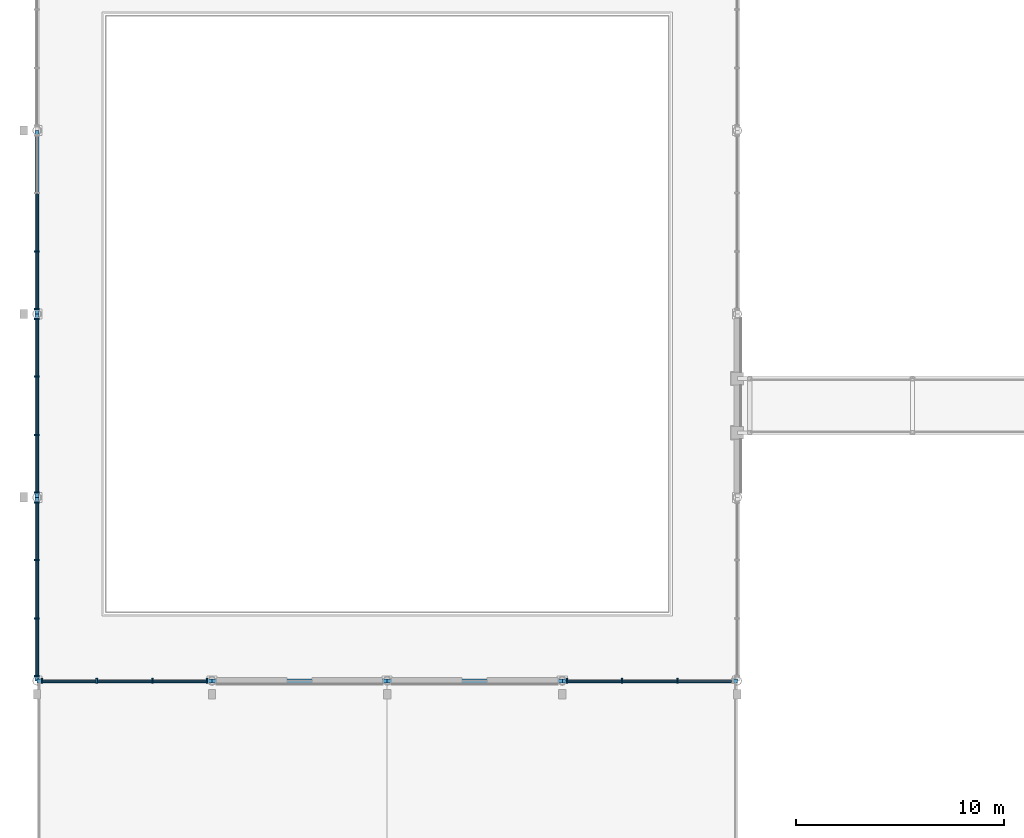
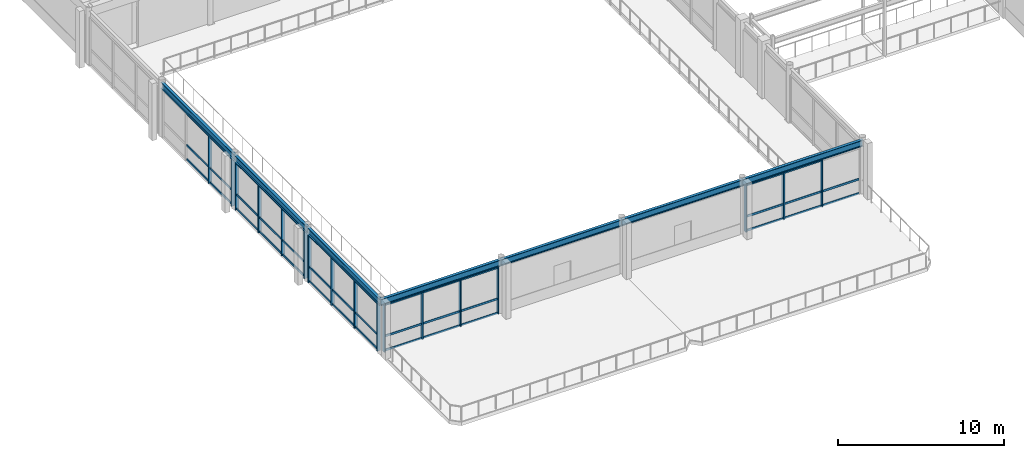
# One storey, part 12 of 57: 58 members, 7 beams, 5 elements without a shape of their own.
"""IFC4 building model written with IfcOpenShell, lengths in metres."""

from ifc_helpers import new_model, si_unit, direction, frame, origin, origin_2d, place, context, subcontext, project, spatial, rectangle, i_section, extrude, material, material_profile, profile_set, type_object, element, aggregate, save


model = new_model("IFC4")

# Units and contexts
model_context = context("Model", 3, precision=1e-05, world=origin(), true_north=direction((0.0, 1.0)))
body_context = subcontext(model_context, "Body", "Model", "MODEL_VIEW")
ifc_project = project(units=[si_unit("LENGTHUNIT", "METRE"), si_unit("AREAUNIT", "SQUARE_METRE"), si_unit("VOLUMEUNIT", "CUBIC_METRE"), si_unit("PLANEANGLEUNIT", "RADIAN"), si_unit("MASSUNIT", "GRAM", prefix="KILO")], contexts=[model_context])

# Site, building, storey
site_placement = place(None, origin())
site = spatial("IfcSite", under=ifc_project, at=site_placement, CompositionType="ELEMENT")
building_placement = place(site_placement, origin())
building = spatial("IfcBuilding", under=site, at=building_placement, Name="Kemercrest Conservatory and Botanical Centre", CompositionType="ELEMENT")
storey_placement = place(building_placement, frame((0.0, 0.0, 4.800048828125)))
storey = spatial("IfcBuildingStorey", under=building, at=storey_placement, Name="L01", CompositionType="ELEMENT", Elevation=4.800048828125)

# Beams
ifc_material_1 = material(Name="Steel CSA G40.21 350W", Category="steel")
ifc_material_profile_1 = material_profile(ifc_material_1, i_section(OverallWidth=0.194091796875, OverallDepth=0.468994140625, WebThickness=0.0126953125, FlangeThickness=0.0205078125, FilletRadius=0.01806640625, at=origin_2d()), Name="W460X106")
ifc_profile_set_1 = profile_set([ifc_material_profile_1], Name="Steel CSA G40.21 350W")
beam_type = type_object("IfcBeamType", Name="BM-W460E", PredefinedType="BEAM", material=ifc_profile_set_1)
beam_1_placement = place(storey_placement, frame((8.0, 16.800048828125, 3.725341796875), z_axis=(1.0, 0.0, 0.0), x_axis=(0.0, 1.0, 0.0)))
element("IfcBeam", 1, at=beam_1_placement, inside=storey, type_object=beam_type, Name="Conservatory glasshouse perimeter wind girt", PredefinedType="BEAM", context=body_context, shape_type="SweptSolid", body=[
    extrude(i_section(OverallWidth=0.194091796875, OverallDepth=0.468994140625, WebThickness=0.0126953125, FlangeThickness=0.0205078125, FilletRadius=0.01806640625, at=origin_2d()), origin(), (0.0, 0.0, 1.0), 8.39990234375),
])
beam_2_placement = place(storey_placement, frame((16.39990234375, 16.800048828125, 3.725341796875), z_axis=(1.0, 0.0, 0.0), x_axis=(0.0, 1.0, 0.0)))
element("IfcBeam", 2, at=beam_2_placement, inside=storey, type_object=beam_type, Name="Conservatory glasshouse perimeter wind girt", PredefinedType="BEAM", context=body_context, shape_type="SweptSolid", body=[
    extrude(i_section(OverallWidth=0.194091796875, OverallDepth=0.468994140625, WebThickness=0.0126953125, FlangeThickness=0.0205078125, FilletRadius=0.01806640625, at=origin_2d()), origin(), (0.0, 0.0, 1.0), 8.400146484375),
])
beam_3_placement = place(storey_placement, frame((24.800048828125, 16.800048828125, 3.725341796875), z_axis=(1.0, 0.0, 0.0), x_axis=(0.0, 1.0, 0.0)))
element("IfcBeam", 3, at=beam_3_placement, inside=storey, type_object=beam_type, Name="Conservatory glasshouse perimeter wind girt", PredefinedType="BEAM", context=body_context, shape_type="SweptSolid", body=[
    extrude(i_section(OverallWidth=0.194091796875, OverallDepth=0.468994140625, WebThickness=0.0126953125, FlangeThickness=0.0205078125, FilletRadius=0.01806640625, at=origin_2d()), origin(), (0.0, 0.0, 1.0), 8.39990234375),
])
beam_4_placement = place(storey_placement, frame((33.199951171875, 16.800048828125, 3.725341796875), z_axis=(1.0, 0.0, 0.0), x_axis=(0.0, 1.0, 0.0)))
element("IfcBeam", 4, at=beam_4_placement, inside=storey, type_object=beam_type, Name="Conservatory glasshouse perimeter wind girt", PredefinedType="BEAM", context=body_context, shape_type="SweptSolid", body=[
    extrude(i_section(OverallWidth=0.194091796875, OverallDepth=0.468994140625, WebThickness=0.0126953125, FlangeThickness=0.0205078125, FilletRadius=0.01806640625, at=origin_2d()), origin(), (0.0, 0.0, 1.0), 8.400146484375),
])
beam_5_placement = place(storey_placement, frame((8.0, 16.800048828125, 3.725341796875), z_axis=(0.0, 1.0, 0.0), x_axis=(-1.0, 0.0, 0.0)))
element("IfcBeam", 5, at=beam_5_placement, inside=storey, type_object=beam_type, Name="Conservatory glasshouse perimeter wind girt", PredefinedType="BEAM", context=body_context, shape_type="SweptSolid", body=[
    extrude(i_section(OverallWidth=0.194091796875, OverallDepth=0.468994140625, WebThickness=0.0126953125, FlangeThickness=0.0205078125, FilletRadius=0.01806640625, at=origin_2d()), origin(), (0.0, 0.0, 1.0), 8.800048828125),
])
beam_6_placement = place(storey_placement, frame((8.0, 25.60009765625, 3.725341796875), z_axis=(0.0, 1.0, 0.0), x_axis=(-1.0, 0.0, 0.0)))
element("IfcBeam", 6, at=beam_6_placement, inside=storey, type_object=beam_type, Name="Conservatory glasshouse perimeter wind girt", PredefinedType="BEAM", context=body_context, shape_type="SweptSolid", body=[
    extrude(i_section(OverallWidth=0.194091796875, OverallDepth=0.468994140625, WebThickness=0.0126953125, FlangeThickness=0.0205078125, FilletRadius=0.01806640625, at=origin_2d()), origin(), (0.0, 0.0, 1.0), 8.7998046875),
])
beam_7_placement = place(storey_placement, frame((8.0, 34.39990234375, 3.725341796875), z_axis=(0.0, 1.0, 0.0), x_axis=(-1.0, 0.0, 0.0)))
element("IfcBeam", 7, at=beam_7_placement, inside=storey, type_object=beam_type, Name="Conservatory glasshouse perimeter wind girt", PredefinedType="BEAM", context=body_context, shape_type="SweptSolid", body=[
    extrude(i_section(OverallWidth=0.194091796875, OverallDepth=0.468994140625, WebThickness=0.0126953125, FlangeThickness=0.0205078125, FilletRadius=0.01806640625, at=origin_2d()), origin(), (0.0, 0.0, 1.0), 8.800048828125),
])

# Curtain wall, members
ifc_material_2 = material(Name="Thermally broken aluminium and triple low-e glazing", Category="aluminium")
curtain_wall_type_1 = type_object("IfcCurtainWallType", Name="CW-09", PredefinedType="USERDEFINED", material=ifc_material_2)
curtain_wall_1_placement = place(storey_placement, origin())
curtain_wall_1 = element("IfcCurtainWall", 8, at=curtain_wall_1_placement, inside=storey, type_object=curtain_wall_type_1, Name="Unitised curtain wall CW-09 (CW:L01:V1-008)", ObjectType="UNITISED CURTAIN WALL", PredefinedType="USERDEFINED")
ifc_material_3 = material(Name="Thermally broken anodized aluminium 6063-T6", Category="aluminium")
ifc_material_profile_2 = material_profile(ifc_material_3, rectangle(XDim=0.239990234375, YDim=0.074951171875, at=origin_2d()), Name="AL MULLION 75x240")
ifc_profile_set_2 = profile_set([ifc_material_profile_2], Name="Thermally broken anodized aluminium 6063-T6")
member_type_1 = type_object("IfcMemberType", Name="CW-M225", PredefinedType="MULLION", material=ifc_profile_set_2)
member_1_placement = place(storey_placement, frame((8.237548828125, 16.800048828125, 0.0), z_axis=(0.0, 0.0, 1.0), x_axis=(0.0, 1.0, 0.0)))
member_1 = element("IfcMember", 9, at=member_1_placement, type_object=member_type_1, Name="CW-09 mullion 1", PredefinedType="MULLION", context=body_context, shape_type="SweptSolid", body=[
    extrude(rectangle(XDim=0.239990234375, YDim=0.074951171875, at=origin_2d()), origin(), (0.0, 0.0, 1.0), 3.495849609375),
])
member_2_placement = place(storey_placement, frame((10.86669921875, 16.800048828125, 0.0), z_axis=(0.0, 0.0, 1.0), x_axis=(0.0, 1.0, 0.0)))
member_2 = element("IfcMember", 10, at=member_2_placement, type_object=member_type_1, Name="CW-09 mullion 2", PredefinedType="MULLION", context=body_context, shape_type="SweptSolid", body=[
    extrude(rectangle(XDim=0.239990234375, YDim=0.074951171875, at=origin_2d()), origin(), (0.0, 0.0, 1.0), 3.495849609375),
])
member_3_placement = place(storey_placement, frame((13.533447265625, 16.800048828125, 0.0), z_axis=(0.0, 0.0, 1.0), x_axis=(0.0, 1.0, 0.0)))
member_3 = element("IfcMember", 11, at=member_3_placement, type_object=member_type_1, Name="CW-09 mullion 3", PredefinedType="MULLION", context=body_context, shape_type="SweptSolid", body=[
    extrude(rectangle(XDim=0.239990234375, YDim=0.074951171875, at=origin_2d()), origin(), (0.0, 0.0, 1.0), 3.495849609375),
])
member_4_placement = place(storey_placement, frame((16.16259765625, 16.800048828125, 0.0), z_axis=(0.0, 0.0, 1.0), x_axis=(0.0, 1.0, 0.0)))
member_4 = element("IfcMember", 12, at=member_4_placement, type_object=member_type_1, Name="CW-09 mullion 4", PredefinedType="MULLION", context=body_context, shape_type="SweptSolid", body=[
    extrude(rectangle(XDim=0.239990234375, YDim=0.074951171875, at=origin_2d()), origin(), (0.0, 0.0, 1.0), 3.495849609375),
])

curtain_wall_type_2 = type_object("IfcCurtainWallType", Name="CW-10", PredefinedType="USERDEFINED", material=ifc_material_2)
curtain_wall_2_placement = place(storey_placement, origin())
curtain_wall_2 = element("IfcCurtainWall", 13, at=curtain_wall_2_placement, inside=storey, type_object=curtain_wall_type_2, Name="Unitised curtain wall CW-10 (CW:L01:V1-009)", ObjectType="UNITISED CURTAIN WALL", PredefinedType="USERDEFINED")
member_5_placement = place(storey_placement, frame((33.4375, 16.800048828125, 0.0), z_axis=(0.0, 0.0, 1.0), x_axis=(0.0, 1.0, 0.0)))
member_5 = element("IfcMember", 14, at=member_5_placement, type_object=member_type_1, Name="CW-10 mullion 1", PredefinedType="MULLION", context=body_context, shape_type="SweptSolid", body=[
    extrude(rectangle(XDim=0.239990234375, YDim=0.074951171875, at=origin_2d()), origin(), (0.0, 0.0, 1.0), 3.495849609375),
])
member_6_placement = place(storey_placement, frame((36.066650390625, 16.800048828125, 0.0), z_axis=(0.0, 0.0, 1.0), x_axis=(0.0, 1.0, 0.0)))
member_6 = element("IfcMember", 15, at=member_6_placement, type_object=member_type_1, Name="CW-10 mullion 2", PredefinedType="MULLION", context=body_context, shape_type="SweptSolid", body=[
    extrude(rectangle(XDim=0.239990234375, YDim=0.074951171875, at=origin_2d()), origin(), (0.0, 0.0, 1.0), 3.495849609375),
])
member_7_placement = place(storey_placement, frame((38.7333984375, 16.800048828125, 0.0), z_axis=(0.0, 0.0, 1.0), x_axis=(0.0, 1.0, 0.0)))
member_7 = element("IfcMember", 16, at=member_7_placement, type_object=member_type_1, Name="CW-10 mullion 3", PredefinedType="MULLION", context=body_context, shape_type="SweptSolid", body=[
    extrude(rectangle(XDim=0.239990234375, YDim=0.074951171875, at=origin_2d()), origin(), (0.0, 0.0, 1.0), 3.495849609375),
])

curtain_wall_type_3 = type_object("IfcCurtainWallType", Name="CW-15", PredefinedType="USERDEFINED", material=ifc_material_2)
curtain_wall_3_placement = place(storey_placement, origin())
curtain_wall_3 = element("IfcCurtainWall", 17, at=curtain_wall_3_placement, inside=storey, type_object=curtain_wall_type_3, Name="Unitised curtain wall CW-15 (CW:L01:V1-014)", ObjectType="UNITISED CURTAIN WALL", PredefinedType="USERDEFINED")
member_8_placement = place(storey_placement, frame((8.0, 37.39990234375, 0.0), z_axis=(0.0, 0.0, 1.0), x_axis=(1.0, 0.0, 0.0)))
member_8 = element("IfcMember", 18, at=member_8_placement, type_object=member_type_1, Name="CW-15 mullion 3", PredefinedType="MULLION", context=body_context, shape_type="SweptSolid", body=[
    extrude(rectangle(XDim=0.239990234375, YDim=0.074951171875, at=origin_2d()), origin(), (0.0, 0.0, 1.0), 3.495849609375),
])
member_9_placement = place(storey_placement, frame((8.0, 34.637451171875, 0.0), z_axis=(0.0, 0.0, 1.0), x_axis=(1.0, 0.0, 0.0)))
member_9 = element("IfcMember", 19, at=member_9_placement, type_object=member_type_1, Name="CW-15 mullion 4", PredefinedType="MULLION", context=body_context, shape_type="SweptSolid", body=[
    extrude(rectangle(XDim=0.239990234375, YDim=0.074951171875, at=origin_2d()), origin(), (0.0, 0.0, 1.0), 3.495849609375),
])

curtain_wall_type_4 = type_object("IfcCurtainWallType", Name="CW-16", PredefinedType="USERDEFINED", material=ifc_material_2)
curtain_wall_4_placement = place(storey_placement, origin())
curtain_wall_4 = element("IfcCurtainWall", 20, at=curtain_wall_4_placement, inside=storey, type_object=curtain_wall_type_4, Name="Unitised curtain wall CW-16 (CW:L01:V1-015)", ObjectType="UNITISED CURTAIN WALL", PredefinedType="USERDEFINED")
member_10_placement = place(storey_placement, frame((8.0, 34.16259765625, 0.0), z_axis=(0.0, 0.0, 1.0), x_axis=(1.0, 0.0, 0.0)))
member_10 = element("IfcMember", 21, at=member_10_placement, type_object=member_type_1, Name="CW-16 mullion 1", PredefinedType="MULLION", context=body_context, shape_type="SweptSolid", body=[
    extrude(rectangle(XDim=0.239990234375, YDim=0.074951171875, at=origin_2d()), origin(), (0.0, 0.0, 1.0), 3.495849609375),
])
member_11_placement = place(storey_placement, frame((8.0, 31.39990234375, 0.0), z_axis=(0.0, 0.0, 1.0), x_axis=(1.0, 0.0, 0.0)))
member_11 = element("IfcMember", 22, at=member_11_placement, type_object=member_type_1, Name="CW-16 mullion 2", PredefinedType="MULLION", context=body_context, shape_type="SweptSolid", body=[
    extrude(rectangle(XDim=0.239990234375, YDim=0.074951171875, at=origin_2d()), origin(), (0.0, 0.0, 1.0), 3.495849609375),
])
member_12_placement = place(storey_placement, frame((8.0, 28.60009765625, 0.0), z_axis=(0.0, 0.0, 1.0), x_axis=(1.0, 0.0, 0.0)))
member_12 = element("IfcMember", 23, at=member_12_placement, type_object=member_type_1, Name="CW-16 mullion 3", PredefinedType="MULLION", context=body_context, shape_type="SweptSolid", body=[
    extrude(rectangle(XDim=0.239990234375, YDim=0.074951171875, at=origin_2d()), origin(), (0.0, 0.0, 1.0), 3.495849609375),
])
member_13_placement = place(storey_placement, frame((8.0, 25.83740234375, 0.0), z_axis=(0.0, 0.0, 1.0), x_axis=(1.0, 0.0, 0.0)))
member_13 = element("IfcMember", 24, at=member_13_placement, type_object=member_type_1, Name="CW-16 mullion 4", PredefinedType="MULLION", context=body_context, shape_type="SweptSolid", body=[
    extrude(rectangle(XDim=0.239990234375, YDim=0.074951171875, at=origin_2d()), origin(), (0.0, 0.0, 1.0), 3.495849609375),
])

curtain_wall_type_5 = type_object("IfcCurtainWallType", Name="CW-17", PredefinedType="USERDEFINED", material=ifc_material_2)
curtain_wall_5_placement = place(storey_placement, origin())
curtain_wall_5 = element("IfcCurtainWall", 25, at=curtain_wall_5_placement, inside=storey, type_object=curtain_wall_type_5, Name="Unitised curtain wall CW-17 (CW:L01:V1-016)", ObjectType="UNITISED CURTAIN WALL", PredefinedType="USERDEFINED")
member_14_placement = place(storey_placement, frame((8.0, 25.362548828125, 0.0), z_axis=(0.0, 0.0, 1.0), x_axis=(1.0, 0.0, 0.0)))
member_14 = element("IfcMember", 26, at=member_14_placement, type_object=member_type_1, Name="CW-17 mullion 1", PredefinedType="MULLION", context=body_context, shape_type="SweptSolid", body=[
    extrude(rectangle(XDim=0.239990234375, YDim=0.074951171875, at=origin_2d()), origin(), (0.0, 0.0, 1.0), 3.495849609375),
])
member_15_placement = place(storey_placement, frame((8.0, 22.60009765625, 0.0), z_axis=(0.0, 0.0, 1.0), x_axis=(1.0, 0.0, 0.0)))
member_15 = element("IfcMember", 27, at=member_15_placement, type_object=member_type_1, Name="CW-17 mullion 2", PredefinedType="MULLION", context=body_context, shape_type="SweptSolid", body=[
    extrude(rectangle(XDim=0.239990234375, YDim=0.074951171875, at=origin_2d()), origin(), (0.0, 0.0, 1.0), 3.495849609375),
])
member_16_placement = place(storey_placement, frame((8.0, 19.800048828125, 0.0), z_axis=(0.0, 0.0, 1.0), x_axis=(1.0, 0.0, 0.0)))
member_16 = element("IfcMember", 28, at=member_16_placement, type_object=member_type_1, Name="CW-17 mullion 3", PredefinedType="MULLION", context=body_context, shape_type="SweptSolid", body=[
    extrude(rectangle(XDim=0.239990234375, YDim=0.074951171875, at=origin_2d()), origin(), (0.0, 0.0, 1.0), 3.495849609375),
])
member_17_placement = place(storey_placement, frame((8.0, 17.03759765625, 0.0), z_axis=(0.0, 0.0, 1.0), x_axis=(1.0, 0.0, 0.0)))
member_17 = element("IfcMember", 29, at=member_17_placement, type_object=member_type_1, Name="CW-17 mullion 4", PredefinedType="MULLION", context=body_context, shape_type="SweptSolid", body=[
    extrude(rectangle(XDim=0.239990234375, YDim=0.074951171875, at=origin_2d()), origin(), (0.0, 0.0, 1.0), 3.495849609375),
])

# Member
ifc_material_profile_3 = material_profile(ifc_material_3, rectangle(XDim=0.06494140625, YDim=0.14990234375, at=origin_2d()), Name="AL TRANSOM 65x150")
ifc_profile_set_3 = profile_set([ifc_material_profile_3], Name="Thermally broken anodized aluminium 6063-T6")
member_type_2 = type_object("IfcMemberType", Name="CW-T200", PredefinedType="USERDEFINED", material=ifc_profile_set_3)
member_18_placement = place(storey_placement, frame((8.27490234375, 16.800048828125, 0.074951171875), z_axis=(1.0, 0.0, 0.0), x_axis=(0.0, 1.0, 0.0)))
member_18 = element("IfcMember", 30, at=member_18_placement, type_object=member_type_2, Name="CW-09 transom 1.1", ObjectType="TRANSOM", PredefinedType="USERDEFINED", context=body_context, shape_type="SweptSolid", body=[
    extrude(rectangle(XDim=0.06494140625, YDim=0.14990234375, at=origin_2d()), origin(), (0.0, 0.0, 1.0), 2.55419921875),
])

member_19_placement = place(storey_placement, frame((8.27490234375, 16.800048828125, 1.119873046875), z_axis=(1.0, 0.0, 0.0), x_axis=(0.0, 1.0, 0.0)))
member_19 = element("IfcMember", 31, at=member_19_placement, type_object=member_type_2, Name="CW-09 transom 1.2", ObjectType="TRANSOM", PredefinedType="USERDEFINED", context=body_context, shape_type="SweptSolid", body=[
    extrude(rectangle(XDim=0.06494140625, YDim=0.14990234375, at=origin_2d()), origin(), (0.0, 0.0, 1.0), 2.55419921875),
])

member_20_placement = place(storey_placement, frame((8.27490234375, 16.800048828125, 3.4208984375), z_axis=(1.0, 0.0, 0.0), x_axis=(0.0, 1.0, 0.0)))
member_20 = element("IfcMember", 32, at=member_20_placement, type_object=member_type_2, Name="CW-09 transom 1.3", ObjectType="TRANSOM", PredefinedType="USERDEFINED", context=body_context, shape_type="SweptSolid", body=[
    extrude(rectangle(XDim=0.06494140625, YDim=0.14990234375, at=origin_2d()), origin(), (0.0, 0.0, 1.0), 2.55419921875),
])

member_21_placement = place(storey_placement, frame((10.904052734375, 16.800048828125, 0.074951171875), z_axis=(1.0, 0.0, 0.0), x_axis=(0.0, 1.0, 0.0)))
member_21 = element("IfcMember", 33, at=member_21_placement, type_object=member_type_2, Name="CW-09 transom 2.1", ObjectType="TRANSOM", PredefinedType="USERDEFINED", context=body_context, shape_type="SweptSolid", body=[
    extrude(rectangle(XDim=0.06494140625, YDim=0.14990234375, at=origin_2d()), origin(), (0.0, 0.0, 1.0), 2.591796875),
])

member_22_placement = place(storey_placement, frame((10.904052734375, 16.800048828125, 1.119873046875), z_axis=(1.0, 0.0, 0.0), x_axis=(0.0, 1.0, 0.0)))
member_22 = element("IfcMember", 34, at=member_22_placement, type_object=member_type_2, Name="CW-09 transom 2.2", ObjectType="TRANSOM", PredefinedType="USERDEFINED", context=body_context, shape_type="SweptSolid", body=[
    extrude(rectangle(XDim=0.06494140625, YDim=0.14990234375, at=origin_2d()), origin(), (0.0, 0.0, 1.0), 2.591796875),
])

member_23_placement = place(storey_placement, frame((10.904052734375, 16.800048828125, 3.4208984375), z_axis=(1.0, 0.0, 0.0), x_axis=(0.0, 1.0, 0.0)))
member_23 = element("IfcMember", 35, at=member_23_placement, type_object=member_type_2, Name="CW-09 transom 2.3", ObjectType="TRANSOM", PredefinedType="USERDEFINED", context=body_context, shape_type="SweptSolid", body=[
    extrude(rectangle(XDim=0.06494140625, YDim=0.14990234375, at=origin_2d()), origin(), (0.0, 0.0, 1.0), 2.591796875),
])

member_24_placement = place(storey_placement, frame((13.57080078125, 16.800048828125, 0.074951171875), z_axis=(1.0, 0.0, 0.0), x_axis=(0.0, 1.0, 0.0)))
member_24 = element("IfcMember", 36, at=member_24_placement, type_object=member_type_2, Name="CW-09 transom 3.1", ObjectType="TRANSOM", PredefinedType="USERDEFINED", context=body_context, shape_type="SweptSolid", body=[
    extrude(rectangle(XDim=0.06494140625, YDim=0.14990234375, at=origin_2d()), origin(), (0.0, 0.0, 1.0), 2.55419921875),
])

member_25_placement = place(storey_placement, frame((13.57080078125, 16.800048828125, 1.119873046875), z_axis=(1.0, 0.0, 0.0), x_axis=(0.0, 1.0, 0.0)))
member_25 = element("IfcMember", 37, at=member_25_placement, type_object=member_type_2, Name="CW-09 transom 3.2", ObjectType="TRANSOM", PredefinedType="USERDEFINED", context=body_context, shape_type="SweptSolid", body=[
    extrude(rectangle(XDim=0.06494140625, YDim=0.14990234375, at=origin_2d()), origin(), (0.0, 0.0, 1.0), 2.55419921875),
])

member_26_placement = place(storey_placement, frame((13.57080078125, 16.800048828125, 3.4208984375), z_axis=(1.0, 0.0, 0.0), x_axis=(0.0, 1.0, 0.0)))
member_26 = element("IfcMember", 38, at=member_26_placement, type_object=member_type_2, Name="CW-09 transom 3.3", ObjectType="TRANSOM", PredefinedType="USERDEFINED", context=body_context, shape_type="SweptSolid", body=[
    extrude(rectangle(XDim=0.06494140625, YDim=0.14990234375, at=origin_2d()), origin(), (0.0, 0.0, 1.0), 2.55419921875),
])

aggregate(curtain_wall_1, [member_1, member_2, member_3, member_4, member_18, member_19, member_20, member_21, member_22, member_23, member_24, member_25, member_26])

member_27_placement = place(storey_placement, frame((33.47509765625, 16.800048828125, 0.074951171875), z_axis=(1.0, 0.0, 0.0), x_axis=(0.0, 1.0, 0.0)))
member_27 = element("IfcMember", 39, at=member_27_placement, type_object=member_type_2, Name="CW-10 transom 1.1", ObjectType="TRANSOM", PredefinedType="USERDEFINED", context=body_context, shape_type="SweptSolid", body=[
    extrude(rectangle(XDim=0.06494140625, YDim=0.14990234375, at=origin_2d()), origin(), (0.0, 0.0, 1.0), 2.553955078125),
])

member_28_placement = place(storey_placement, frame((33.47509765625, 16.800048828125, 1.119873046875), z_axis=(1.0, 0.0, 0.0), x_axis=(0.0, 1.0, 0.0)))
member_28 = element("IfcMember", 40, at=member_28_placement, type_object=member_type_2, Name="CW-10 transom 1.2", ObjectType="TRANSOM", PredefinedType="USERDEFINED", context=body_context, shape_type="SweptSolid", body=[
    extrude(rectangle(XDim=0.06494140625, YDim=0.14990234375, at=origin_2d()), origin(), (0.0, 0.0, 1.0), 2.553955078125),
])

member_29_placement = place(storey_placement, frame((33.47509765625, 16.800048828125, 3.4208984375), z_axis=(1.0, 0.0, 0.0), x_axis=(0.0, 1.0, 0.0)))
member_29 = element("IfcMember", 41, at=member_29_placement, type_object=member_type_2, Name="CW-10 transom 1.3", ObjectType="TRANSOM", PredefinedType="USERDEFINED", context=body_context, shape_type="SweptSolid", body=[
    extrude(rectangle(XDim=0.06494140625, YDim=0.14990234375, at=origin_2d()), origin(), (0.0, 0.0, 1.0), 2.553955078125),
])

member_30_placement = place(storey_placement, frame((36.104248046875, 16.800048828125, 0.074951171875), z_axis=(1.0, 0.0, 0.0), x_axis=(0.0, 1.0, 0.0)))
member_30 = element("IfcMember", 42, at=member_30_placement, type_object=member_type_2, Name="CW-10 transom 2.1", ObjectType="TRANSOM", PredefinedType="USERDEFINED", context=body_context, shape_type="SweptSolid", body=[
    extrude(rectangle(XDim=0.06494140625, YDim=0.14990234375, at=origin_2d()), origin(), (0.0, 0.0, 1.0), 2.591552734375),
])

member_31_placement = place(storey_placement, frame((36.104248046875, 16.800048828125, 1.119873046875), z_axis=(1.0, 0.0, 0.0), x_axis=(0.0, 1.0, 0.0)))
member_31 = element("IfcMember", 43, at=member_31_placement, type_object=member_type_2, Name="CW-10 transom 2.2", ObjectType="TRANSOM", PredefinedType="USERDEFINED", context=body_context, shape_type="SweptSolid", body=[
    extrude(rectangle(XDim=0.06494140625, YDim=0.14990234375, at=origin_2d()), origin(), (0.0, 0.0, 1.0), 2.591552734375),
])

member_32_placement = place(storey_placement, frame((36.104248046875, 16.800048828125, 3.4208984375), z_axis=(1.0, 0.0, 0.0), x_axis=(0.0, 1.0, 0.0)))
member_32 = element("IfcMember", 44, at=member_32_placement, type_object=member_type_2, Name="CW-10 transom 2.3", ObjectType="TRANSOM", PredefinedType="USERDEFINED", context=body_context, shape_type="SweptSolid", body=[
    extrude(rectangle(XDim=0.06494140625, YDim=0.14990234375, at=origin_2d()), origin(), (0.0, 0.0, 1.0), 2.591552734375),
])

member_33_placement = place(storey_placement, frame((38.770751953125, 16.800048828125, 0.074951171875), z_axis=(1.0, 0.0, 0.0), x_axis=(0.0, 1.0, 0.0)))
member_33 = element("IfcMember", 45, at=member_33_placement, type_object=member_type_2, Name="CW-10 transom 3.1", ObjectType="TRANSOM", PredefinedType="USERDEFINED", context=body_context, shape_type="SweptSolid", body=[
    extrude(rectangle(XDim=0.06494140625, YDim=0.14990234375, at=origin_2d()), origin(), (0.0, 0.0, 1.0), 2.55419921875),
])

member_34_placement = place(storey_placement, frame((38.770751953125, 16.800048828125, 1.119873046875), z_axis=(1.0, 0.0, 0.0), x_axis=(0.0, 1.0, 0.0)))
member_34 = element("IfcMember", 46, at=member_34_placement, type_object=member_type_2, Name="CW-10 transom 3.2", ObjectType="TRANSOM", PredefinedType="USERDEFINED", context=body_context, shape_type="SweptSolid", body=[
    extrude(rectangle(XDim=0.06494140625, YDim=0.14990234375, at=origin_2d()), origin(), (0.0, 0.0, 1.0), 2.55419921875),
])

aggregate(curtain_wall_2, [member_5, member_6, member_7, member_27, member_28, member_29, member_30, member_31, member_32, member_33, member_34])

member_35_placement = place(storey_placement, frame((8.0, 40.16259765625, 0.074951171875), z_axis=(0.0, -1.0, 0.0), x_axis=(1.0, 0.0, 0.0)))
member_35 = element("IfcMember", 47, at=member_35_placement, type_object=member_type_2, Name="CW-15 transom 2.1", ObjectType="TRANSOM", PredefinedType="USERDEFINED", context=body_context, shape_type="SweptSolid", body=[
    extrude(rectangle(XDim=0.06494140625, YDim=0.14990234375, at=origin_2d()), origin(), (0.0, 0.0, 1.0), 2.72509765625),
])

member_36_placement = place(storey_placement, frame((8.0, 40.16259765625, 1.119873046875), z_axis=(0.0, -1.0, 0.0), x_axis=(1.0, 0.0, 0.0)))
member_36 = element("IfcMember", 48, at=member_36_placement, type_object=member_type_2, Name="CW-15 transom 2.2", ObjectType="TRANSOM", PredefinedType="USERDEFINED", context=body_context, shape_type="SweptSolid", body=[
    extrude(rectangle(XDim=0.06494140625, YDim=0.14990234375, at=origin_2d()), origin(), (0.0, 0.0, 1.0), 2.72509765625),
])

member_37_placement = place(storey_placement, frame((8.0, 40.16259765625, 3.4208984375), z_axis=(0.0, -1.0, 0.0), x_axis=(1.0, 0.0, 0.0)))
member_37 = element("IfcMember", 49, at=member_37_placement, type_object=member_type_2, Name="CW-15 transom 2.3", ObjectType="TRANSOM", PredefinedType="USERDEFINED", context=body_context, shape_type="SweptSolid", body=[
    extrude(rectangle(XDim=0.06494140625, YDim=0.14990234375, at=origin_2d()), origin(), (0.0, 0.0, 1.0), 2.72509765625),
])

member_38_placement = place(storey_placement, frame((8.0, 37.362548828125, 0.074951171875), z_axis=(0.0, -1.0, 0.0), x_axis=(1.0, 0.0, 0.0)))
member_38 = element("IfcMember", 50, at=member_38_placement, type_object=member_type_2, Name="CW-15 transom 3.1", ObjectType="TRANSOM", PredefinedType="USERDEFINED", context=body_context, shape_type="SweptSolid", body=[
    extrude(rectangle(XDim=0.06494140625, YDim=0.14990234375, at=origin_2d()), origin(), (0.0, 0.0, 1.0), 2.6875),
])

member_39_placement = place(storey_placement, frame((8.0, 37.362548828125, 1.119873046875), z_axis=(0.0, -1.0, 0.0), x_axis=(1.0, 0.0, 0.0)))
member_39 = element("IfcMember", 51, at=member_39_placement, type_object=member_type_2, Name="CW-15 transom 3.2", ObjectType="TRANSOM", PredefinedType="USERDEFINED", context=body_context, shape_type="SweptSolid", body=[
    extrude(rectangle(XDim=0.06494140625, YDim=0.14990234375, at=origin_2d()), origin(), (0.0, 0.0, 1.0), 2.6875),
])

member_40_placement = place(storey_placement, frame((8.0, 37.362548828125, 3.4208984375), z_axis=(0.0, -1.0, 0.0), x_axis=(1.0, 0.0, 0.0)))
member_40 = element("IfcMember", 52, at=member_40_placement, type_object=member_type_2, Name="CW-15 transom 3.3", ObjectType="TRANSOM", PredefinedType="USERDEFINED", context=body_context, shape_type="SweptSolid", body=[
    extrude(rectangle(XDim=0.06494140625, YDim=0.14990234375, at=origin_2d()), origin(), (0.0, 0.0, 1.0), 2.6875),
])

aggregate(curtain_wall_3, [member_8, member_9, member_35, member_36, member_37, member_38, member_39, member_40])

member_41_placement = place(storey_placement, frame((8.0, 34.125, 0.074951171875), z_axis=(0.0, -1.0, 0.0), x_axis=(1.0, 0.0, 0.0)))
member_41 = element("IfcMember", 53, at=member_41_placement, type_object=member_type_2, Name="CW-16 transom 1.1", ObjectType="TRANSOM", PredefinedType="USERDEFINED", context=body_context, shape_type="SweptSolid", body=[
    extrude(rectangle(XDim=0.06494140625, YDim=0.14990234375, at=origin_2d()), origin(), (0.0, 0.0, 1.0), 2.6875),
])

member_42_placement = place(storey_placement, frame((8.0, 34.125, 1.119873046875), z_axis=(0.0, -1.0, 0.0), x_axis=(1.0, 0.0, 0.0)))
member_42 = element("IfcMember", 54, at=member_42_placement, type_object=member_type_2, Name="CW-16 transom 1.2", ObjectType="TRANSOM", PredefinedType="USERDEFINED", context=body_context, shape_type="SweptSolid", body=[
    extrude(rectangle(XDim=0.06494140625, YDim=0.14990234375, at=origin_2d()), origin(), (0.0, 0.0, 1.0), 2.6875),
])

member_43_placement = place(storey_placement, frame((8.0, 34.125, 3.4208984375), z_axis=(0.0, -1.0, 0.0), x_axis=(1.0, 0.0, 0.0)))
member_43 = element("IfcMember", 55, at=member_43_placement, type_object=member_type_2, Name="CW-16 transom 1.3", ObjectType="TRANSOM", PredefinedType="USERDEFINED", context=body_context, shape_type="SweptSolid", body=[
    extrude(rectangle(XDim=0.06494140625, YDim=0.14990234375, at=origin_2d()), origin(), (0.0, 0.0, 1.0), 2.6875),
])

member_44_placement = place(storey_placement, frame((8.0, 31.362548828125, 0.074951171875), z_axis=(0.0, -1.0, 0.0), x_axis=(1.0, 0.0, 0.0)))
member_44 = element("IfcMember", 56, at=member_44_placement, type_object=member_type_2, Name="CW-16 transom 2.1", ObjectType="TRANSOM", PredefinedType="USERDEFINED", context=body_context, shape_type="SweptSolid", body=[
    extrude(rectangle(XDim=0.06494140625, YDim=0.14990234375, at=origin_2d()), origin(), (0.0, 0.0, 1.0), 2.72509765625),
])

member_45_placement = place(storey_placement, frame((8.0, 31.362548828125, 1.119873046875), z_axis=(0.0, -1.0, 0.0), x_axis=(1.0, 0.0, 0.0)))
member_45 = element("IfcMember", 57, at=member_45_placement, type_object=member_type_2, Name="CW-16 transom 2.2", ObjectType="TRANSOM", PredefinedType="USERDEFINED", context=body_context, shape_type="SweptSolid", body=[
    extrude(rectangle(XDim=0.06494140625, YDim=0.14990234375, at=origin_2d()), origin(), (0.0, 0.0, 1.0), 2.72509765625),
])

member_46_placement = place(storey_placement, frame((8.0, 31.362548828125, 3.4208984375), z_axis=(0.0, -1.0, 0.0), x_axis=(1.0, 0.0, 0.0)))
member_46 = element("IfcMember", 58, at=member_46_placement, type_object=member_type_2, Name="CW-16 transom 2.3", ObjectType="TRANSOM", PredefinedType="USERDEFINED", context=body_context, shape_type="SweptSolid", body=[
    extrude(rectangle(XDim=0.06494140625, YDim=0.14990234375, at=origin_2d()), origin(), (0.0, 0.0, 1.0), 2.72509765625),
])

member_47_placement = place(storey_placement, frame((8.0, 28.5625, 0.074951171875), z_axis=(0.0, -1.0, 0.0), x_axis=(1.0, 0.0, 0.0)))
member_47 = element("IfcMember", 59, at=member_47_placement, type_object=member_type_2, Name="CW-16 transom 3.1", ObjectType="TRANSOM", PredefinedType="USERDEFINED", context=body_context, shape_type="SweptSolid", body=[
    extrude(rectangle(XDim=0.06494140625, YDim=0.14990234375, at=origin_2d()), origin(), (0.0, 0.0, 1.0), 2.6875),
])

member_48_placement = place(storey_placement, frame((8.0, 28.5625, 1.119873046875), z_axis=(0.0, -1.0, 0.0), x_axis=(1.0, 0.0, 0.0)))
member_48 = element("IfcMember", 60, at=member_48_placement, type_object=member_type_2, Name="CW-16 transom 3.2", ObjectType="TRANSOM", PredefinedType="USERDEFINED", context=body_context, shape_type="SweptSolid", body=[
    extrude(rectangle(XDim=0.06494140625, YDim=0.14990234375, at=origin_2d()), origin(), (0.0, 0.0, 1.0), 2.6875),
])

member_49_placement = place(storey_placement, frame((8.0, 28.5625, 3.4208984375), z_axis=(0.0, -1.0, 0.0), x_axis=(1.0, 0.0, 0.0)))
member_49 = element("IfcMember", 61, at=member_49_placement, type_object=member_type_2, Name="CW-16 transom 3.3", ObjectType="TRANSOM", PredefinedType="USERDEFINED", context=body_context, shape_type="SweptSolid", body=[
    extrude(rectangle(XDim=0.06494140625, YDim=0.14990234375, at=origin_2d()), origin(), (0.0, 0.0, 1.0), 2.6875),
])

aggregate(curtain_wall_4, [member_10, member_11, member_12, member_13, member_41, member_42, member_43, member_44, member_45, member_46, member_47, member_48, member_49])

member_50_placement = place(storey_placement, frame((8.0, 25.324951171875, 0.074951171875), z_axis=(0.0, -1.0, 0.0), x_axis=(1.0, 0.0, 0.0)))
member_50 = element("IfcMember", 62, at=member_50_placement, type_object=member_type_2, Name="CW-17 transom 1.1", ObjectType="TRANSOM", PredefinedType="USERDEFINED", context=body_context, shape_type="SweptSolid", body=[
    extrude(rectangle(XDim=0.06494140625, YDim=0.14990234375, at=origin_2d()), origin(), (0.0, 0.0, 1.0), 2.6875),
])

member_51_placement = place(storey_placement, frame((8.0, 25.324951171875, 1.119873046875), z_axis=(0.0, -1.0, 0.0), x_axis=(1.0, 0.0, 0.0)))
member_51 = element("IfcMember", 63, at=member_51_placement, type_object=member_type_2, Name="CW-17 transom 1.2", ObjectType="TRANSOM", PredefinedType="USERDEFINED", context=body_context, shape_type="SweptSolid", body=[
    extrude(rectangle(XDim=0.06494140625, YDim=0.14990234375, at=origin_2d()), origin(), (0.0, 0.0, 1.0), 2.6875),
])

member_52_placement = place(storey_placement, frame((8.0, 25.324951171875, 3.4208984375), z_axis=(0.0, -1.0, 0.0), x_axis=(1.0, 0.0, 0.0)))
member_52 = element("IfcMember", 64, at=member_52_placement, type_object=member_type_2, Name="CW-17 transom 1.3", ObjectType="TRANSOM", PredefinedType="USERDEFINED", context=body_context, shape_type="SweptSolid", body=[
    extrude(rectangle(XDim=0.06494140625, YDim=0.14990234375, at=origin_2d()), origin(), (0.0, 0.0, 1.0), 2.6875),
])

member_53_placement = place(storey_placement, frame((8.0, 22.5625, 0.074951171875), z_axis=(0.0, -1.0, 0.0), x_axis=(1.0, 0.0, 0.0)))
member_53 = element("IfcMember", 65, at=member_53_placement, type_object=member_type_2, Name="CW-17 transom 2.1", ObjectType="TRANSOM", PredefinedType="USERDEFINED", context=body_context, shape_type="SweptSolid", body=[
    extrude(rectangle(XDim=0.06494140625, YDim=0.14990234375, at=origin_2d()), origin(), (0.0, 0.0, 1.0), 2.72509765625),
])

member_54_placement = place(storey_placement, frame((8.0, 22.5625, 1.119873046875), z_axis=(0.0, -1.0, 0.0), x_axis=(1.0, 0.0, 0.0)))
member_54 = element("IfcMember", 66, at=member_54_placement, type_object=member_type_2, Name="CW-17 transom 2.2", ObjectType="TRANSOM", PredefinedType="USERDEFINED", context=body_context, shape_type="SweptSolid", body=[
    extrude(rectangle(XDim=0.06494140625, YDim=0.14990234375, at=origin_2d()), origin(), (0.0, 0.0, 1.0), 2.72509765625),
])

member_55_placement = place(storey_placement, frame((8.0, 22.5625, 3.4208984375), z_axis=(0.0, -1.0, 0.0), x_axis=(1.0, 0.0, 0.0)))
member_55 = element("IfcMember", 67, at=member_55_placement, type_object=member_type_2, Name="CW-17 transom 2.3", ObjectType="TRANSOM", PredefinedType="USERDEFINED", context=body_context, shape_type="SweptSolid", body=[
    extrude(rectangle(XDim=0.06494140625, YDim=0.14990234375, at=origin_2d()), origin(), (0.0, 0.0, 1.0), 2.72509765625),
])

member_56_placement = place(storey_placement, frame((8.0, 19.762451171875, 0.074951171875), z_axis=(0.0, -1.0, 0.0), x_axis=(1.0, 0.0, 0.0)))
member_56 = element("IfcMember", 68, at=member_56_placement, type_object=member_type_2, Name="CW-17 transom 3.1", ObjectType="TRANSOM", PredefinedType="USERDEFINED", context=body_context, shape_type="SweptSolid", body=[
    extrude(rectangle(XDim=0.06494140625, YDim=0.14990234375, at=origin_2d()), origin(), (0.0, 0.0, 1.0), 2.6875),
])

member_57_placement = place(storey_placement, frame((8.0, 19.762451171875, 1.119873046875), z_axis=(0.0, -1.0, 0.0), x_axis=(1.0, 0.0, 0.0)))
member_57 = element("IfcMember", 69, at=member_57_placement, type_object=member_type_2, Name="CW-17 transom 3.2", ObjectType="TRANSOM", PredefinedType="USERDEFINED", context=body_context, shape_type="SweptSolid", body=[
    extrude(rectangle(XDim=0.06494140625, YDim=0.14990234375, at=origin_2d()), origin(), (0.0, 0.0, 1.0), 2.6875),
])

member_58_placement = place(storey_placement, frame((8.0, 19.762451171875, 3.4208984375), z_axis=(0.0, -1.0, 0.0), x_axis=(1.0, 0.0, 0.0)))
member_58 = element("IfcMember", 70, at=member_58_placement, type_object=member_type_2, Name="CW-17 transom 3.3", ObjectType="TRANSOM", PredefinedType="USERDEFINED", context=body_context, shape_type="SweptSolid", body=[
    extrude(rectangle(XDim=0.06494140625, YDim=0.14990234375, at=origin_2d()), origin(), (0.0, 0.0, 1.0), 2.6875),
])

aggregate(curtain_wall_5, [member_14, member_15, member_16, member_17, member_50, member_51, member_52, member_53, member_54, member_55, member_56, member_57, member_58])

save(model, "model.ifc")
